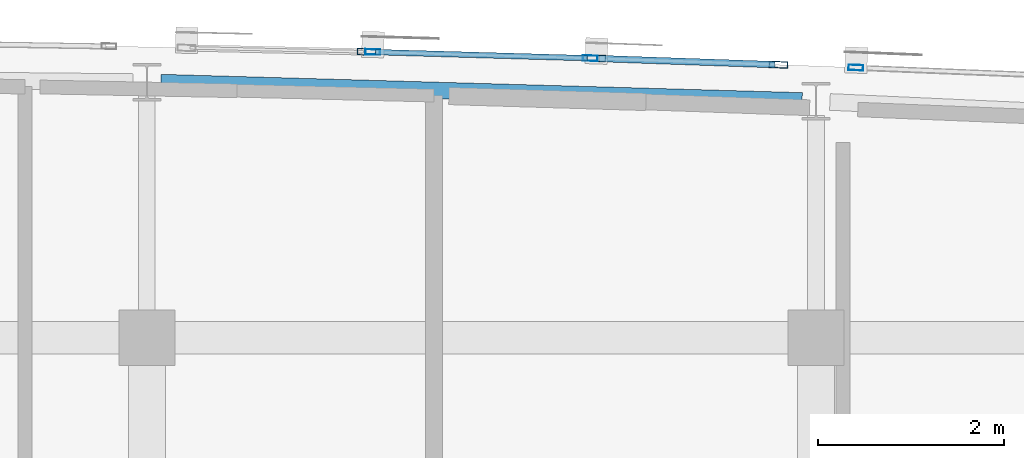
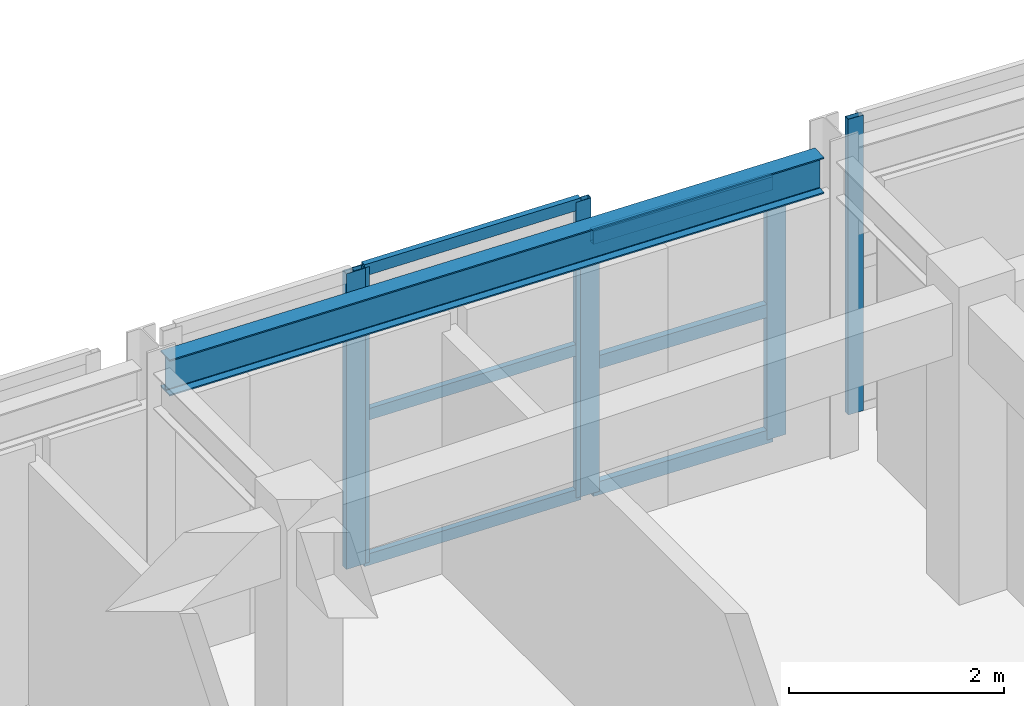
# One storey, part 19 of 48: 12 members, 1 beam, 4 elements without a shape of their own.
"""IFC4 building model written with IfcOpenShell, lengths in metres."""

from ifc_helpers import new_model, si_unit, direction, frame, origin, origin_2d, place, context, subcontext, project, spatial, hollow_rectangle, i_section, extrude, material, layer, layer_set, material_profile, profile_set, type_object, element, aggregate, save


model = new_model("IFC4")

# Units and contexts
model_context = context("Model", 3, precision=1e-05, world=origin(), true_north=direction((0.0, 1.0)))
body_context = subcontext(model_context, "Body", "Model", "MODEL_VIEW")
ifc_project = project(units=[si_unit("LENGTHUNIT", "METRE"), si_unit("AREAUNIT", "SQUARE_METRE"), si_unit("VOLUMEUNIT", "CUBIC_METRE"), si_unit("PLANEANGLEUNIT", "RADIAN"), si_unit("MASSUNIT", "GRAM", prefix="KILO")], contexts=[model_context])

# Site, building, storey
site_placement = place(None, origin())
site = spatial("IfcSite", under=ifc_project, at=site_placement, CompositionType="ELEMENT")
building_placement = place(site_placement, origin())
building = spatial("IfcBuilding", under=site, at=building_placement, Name="Carrowvane Square Congress Hotel", CompositionType="ELEMENT")
storey_placement = place(building_placement, frame((0.0, 0.0, 26.39990234375)))
storey = spatial("IfcBuildingStorey", under=building, at=storey_placement, Name="L06", CompositionType="ELEMENT", Elevation=26.39990234375)

# Beam
ifc_material_1 = material(Name="Steel S355", Category="steel")
ifc_material_profile_1 = material_profile(ifc_material_1, i_section(OverallWidth=0.1787109375, OverallDepth=0.409423828125, WebThickness=0.0087890625, FlangeThickness=0.014404296875, FilletRadius=0.01025390625, at=origin_2d()), Name="UKB 406x178x67")
ifc_profile_set_1 = profile_set([ifc_material_profile_1], Name="Steel S355")
beam_type = type_object("IfcBeamType", Name="BM-ST-UKB406", PredefinedType="BEAM", material=ifc_profile_set_1)
beam_placement = place(storey_placement, frame((105.349853515625, 116.1455078125, 3.1455078125), z_axis=(0.999591595899, -0.028576938382, 0.0), x_axis=(0.028576938382, 0.999591595899, 0.0)))
element("IfcBeam", 1, at=beam_placement, inside=storey, type_object=beam_type, Name="L07 curved north spandrel", PredefinedType="BEAM", context=body_context, shape_type="SweptSolid", body=[
    extrude(i_section(OverallWidth=0.1787109375, OverallDepth=0.409423828125, WebThickness=0.0087890625, FlangeThickness=0.014404296875, FilletRadius=0.01025390625, at=origin_2d()), origin(), (0.0, 0.0, 1.0), 6.903076171875),
])

# Curtain wall, members
ifc_material_2 = material(Name="Anodised aluminium", Category="aluminium")
ifc_layer_1 = layer(ifc_material_2, 0.18603515625)
ifc_layer_set_1 = layer_set([ifc_layer_1], Name="Anodised aluminium")
curtain_wall_type_1 = type_object("IfcCurtainWallType", Name="CW-SYS-3", PredefinedType="NOTDEFINED", material=ifc_layer_set_1)
curtain_wall_1_placement = place(storey_placement, origin())
curtain_wall_1 = element("IfcCurtainWall", 2, at=curtain_wall_1_placement, inside=storey, type_object=curtain_wall_type_1, Name="L06 unitised curtain wall 386", PredefinedType="NOTDEFINED")
ifc_material_3 = material(Name="Anodised aluminium", Category="aluminium")
ifc_material_profile_2 = material_profile(ifc_material_3, hollow_rectangle(XDim=0.06005859375, YDim=0.159912109375, WallThickness=0.00390625, at=origin_2d()), Name="CW-ML 60x160x4")
ifc_profile_set_2 = profile_set([ifc_material_profile_2], Name="Anodised aluminium")
member_type_1 = type_object("IfcMemberType", Name="CW-MUL-1", PredefinedType="MULLION", material=ifc_profile_set_2)
member_1_placement = place(storey_placement, frame((107.6298828125, 116.474853515625, 0.0), z_axis=(0.0, 0.0, 1.0), x_axis=(0.028638010501, 0.999589848065, 0.0)))
member_1 = element("IfcMember", 3, at=member_1_placement, type_object=member_type_1, Name="CW-3 mullion 1", PredefinedType="MULLION", context=body_context, shape_type="SweptSolid", body=[
    extrude(hollow_rectangle(XDim=0.06005859375, YDim=0.159912109375, WallThickness=0.00390625, at=origin_2d()), origin(), (0.0, 0.0, 1.0), 3.35009765625),
])
member_2_placement = place(storey_placement, frame((109.969970703125, 116.40771484375, 0.0), z_axis=(0.0, 0.0, 1.0), x_axis=(0.028638010501, 0.999589848065, 0.0)))
member_2 = element("IfcMember", 4, at=member_2_placement, type_object=member_type_1, Name="CW-3 mullion 2", PredefinedType="MULLION", context=body_context, shape_type="SweptSolid", body=[
    extrude(hollow_rectangle(XDim=0.06005859375, YDim=0.159912109375, WallThickness=0.00390625, at=origin_2d()), origin(), (0.0, 0.0, 1.0), 3.35009765625),
])

# Curtain wall, member
ifc_material_4 = material(Name="Anodised aluminium", Category="aluminium")
ifc_layer_2 = layer(ifc_material_4, 0.2099609375)
ifc_layer_set_2 = layer_set([ifc_layer_2], Name="Anodised aluminium")
curtain_wall_type_2 = type_object("IfcCurtainWallType", Name="CW-SYS-5", PredefinedType="NOTDEFINED", material=ifc_layer_set_2)
curtain_wall_2_placement = place(storey_placement, origin())
curtain_wall_2 = element("IfcCurtainWall", 5, at=curtain_wall_2_placement, inside=storey, type_object=curtain_wall_type_2, Name="L06 unitised curtain wall 388", PredefinedType="NOTDEFINED")
member_3_placement = place(storey_placement, frame((112.828857421875, 116.306884765625, 0.0), z_axis=(0.0, 0.0, 1.0), x_axis=(0.040130957403, 0.999194428656, 0.0)))
member_3 = element("IfcMember", 6, at=member_3_placement, type_object=member_type_1, Name="CW-5 mullion 1", PredefinedType="MULLION", context=body_context, shape_type="SweptSolid", body=[
    extrude(hollow_rectangle(XDim=0.06005859375, YDim=0.159912109375, WallThickness=0.00390625, at=origin_2d()), origin(), (0.0, 0.0, 1.0), 3.35009765625),
])
aggregate(curtain_wall_2, [member_3])

ifc_material_5 = material(Name="Anodised aluminium", Category="aluminium")
ifc_layer_3 = layer(ifc_material_5, 0.174072265625)
ifc_layer_set_3 = layer_set([ifc_layer_3], Name="Anodised aluminium")
curtain_wall_type_3 = type_object("IfcCurtainWallType", Name="CW-SYS-2", PredefinedType="NOTDEFINED", material=ifc_layer_set_3)
curtain_wall_3_placement = place(storey_placement, origin())
curtain_wall_3 = element("IfcCurtainWall", 7, at=curtain_wall_3_placement, inside=storey, type_object=curtain_wall_type_3, Name="L06 unitised curtain wall 385", PredefinedType="NOTDEFINED")
ifc_material_6 = material(Name="Anodised aluminium", Category="aluminium")
ifc_material_profile_3 = material_profile(ifc_material_6, hollow_rectangle(XDim=0.070068359375, YDim=0.199951171875, WallThickness=0.0048828125, at=origin_2d()), Name="CW-ML 70x200x5")
ifc_profile_set_3 = profile_set([ifc_material_profile_3], Name="Anodised aluminium")
member_type_2 = type_object("IfcMemberType", Name="CW-MUL-2", PredefinedType="MULLION", material=ifc_profile_set_3)
member_4_placement = place(storey_placement, frame((107.56494140625, 116.4765625, 0.0), z_axis=(0.0, 0.0, 1.0), x_axis=(0.022517686606, 0.99974644475, 0.0)))
member_4 = element("IfcMember", 8, at=member_4_placement, type_object=member_type_2, Name="CW-2 mullion 2", PredefinedType="MULLION", context=body_context, shape_type="SweptSolid", body=[
    extrude(hollow_rectangle(XDim=0.070068359375, YDim=0.199951171875, WallThickness=0.0048828125, at=origin_2d()), origin(), (0.0, 0.0, 1.0), 3.35009765625),
])
aggregate(curtain_wall_3, [member_4])

# Curtain wall, members
ifc_material_7 = material(Name="Anodised aluminium", Category="aluminium")
ifc_layer_4 = layer(ifc_material_7, 0.197998046875)
ifc_layer_set_4 = layer_set([ifc_layer_4], Name="Anodised aluminium")
curtain_wall_type_4 = type_object("IfcCurtainWallType", Name="CW-SYS-4", PredefinedType="NOTDEFINED", material=ifc_layer_set_4)
curtain_wall_4_placement = place(storey_placement, origin())
curtain_wall_4 = element("IfcCurtainWall", 9, at=curtain_wall_4_placement, inside=storey, type_object=curtain_wall_type_4, Name="L06 unitised curtain wall 387", PredefinedType="NOTDEFINED")
member_5_placement = place(storey_placement, frame((110.034912109375, 116.40576171875, 0.0), z_axis=(0.0, 0.0, 1.0), x_axis=(0.034529948347, 0.999403663525, 0.0)))
member_5 = element("IfcMember", 10, at=member_5_placement, type_object=member_type_2, Name="CW-4 mullion 1", PredefinedType="MULLION", context=body_context, shape_type="SweptSolid", body=[
    extrude(hollow_rectangle(XDim=0.070068359375, YDim=0.199951171875, WallThickness=0.0048828125, at=origin_2d()), origin(), (0.0, 0.0, 1.0), 2.92578125),
])
member_6_placement = place(storey_placement, frame((111.99462890625, 116.338134765625, 0.0), z_axis=(0.0, 0.0, 1.0), x_axis=(0.034529948347, 0.999403663525, 0.0)))
member_6 = element("IfcMember", 11, at=member_6_placement, type_object=member_type_2, Name="CW-4 mullion 2", PredefinedType="MULLION", context=body_context, shape_type="SweptSolid", body=[
    extrude(hollow_rectangle(XDim=0.070068359375, YDim=0.199951171875, WallThickness=0.0048828125, at=origin_2d()), origin(), (0.0, 0.0, 1.0), 2.92578125),
])

# Member
ifc_material_8 = material(Name="Anodised aluminium", Category="aluminium")
ifc_material_profile_4 = material_profile(ifc_material_8, hollow_rectangle(XDim=0.06005859375, YDim=0.1298828125, WallThickness=0.00390625, at=origin_2d()), Name="CW-TR 60x130x4")
ifc_profile_set_4 = profile_set([ifc_material_profile_4], Name="Anodised aluminium")
member_type_3 = type_object("IfcMemberType", Name="CW-TRN-1", PredefinedType="USERDEFINED", material=ifc_profile_set_4)
member_7_placement = place(storey_placement, frame((107.659912109375, 116.473876953125, 0.030029296875), z_axis=(0.999591562471, -0.028578107632, 0.0), x_axis=(0.028578107632, 0.999591562471, 0.0)))
member_7 = element("IfcMember", 12, at=member_7_placement, type_object=member_type_3, Name="CW-3 transom 1.1", ObjectType="TRANSOM", PredefinedType="USERDEFINED", context=body_context, shape_type="SweptSolid", body=[
    extrude(hollow_rectangle(XDim=0.06005859375, YDim=0.1298828125, WallThickness=0.00390625, at=origin_2d()), origin(), (0.0, 0.0, 1.0), 2.281005859375),
])

member_8_placement = place(storey_placement, frame((107.659912109375, 116.473876953125, 1.675048828125), z_axis=(0.999591562471, -0.028578107632, 0.0), x_axis=(0.028578107632, 0.999591562471, 0.0)))
member_8 = element("IfcMember", 13, at=member_8_placement, type_object=member_type_3, Name="CW-3 transom 1.2", ObjectType="TRANSOM", PredefinedType="USERDEFINED", context=body_context, shape_type="SweptSolid", body=[
    extrude(hollow_rectangle(XDim=0.06005859375, YDim=0.1298828125, WallThickness=0.00390625, at=origin_2d()), origin(), (0.0, 0.0, 1.0), 2.281005859375),
])

member_9_placement = place(storey_placement, frame((107.659912109375, 116.473876953125, 3.320068359375), z_axis=(0.999591562471, -0.028578107632, 0.0), x_axis=(0.028578107632, 0.999591562471, 0.0)))
member_9 = element("IfcMember", 14, at=member_9_placement, type_object=member_type_3, Name="CW-3 transom 1.3", ObjectType="TRANSOM", PredefinedType="USERDEFINED", context=body_context, shape_type="SweptSolid", body=[
    extrude(hollow_rectangle(XDim=0.06005859375, YDim=0.1298828125, WallThickness=0.00390625, at=origin_2d()), origin(), (0.0, 0.0, 1.0), 2.281005859375),
])

aggregate(curtain_wall_1, [member_1, member_2, member_7, member_8, member_9])

ifc_material_9 = material(Name="Anodised aluminium", Category="aluminium")
ifc_material_profile_5 = material_profile(ifc_material_9, hollow_rectangle(XDim=0.070068359375, YDim=0.14990234375, WallThickness=0.0048828125, at=origin_2d()), Name="CW-TR 70x150x5")
ifc_profile_set_5 = profile_set([ifc_material_profile_5], Name="Anodised aluminium")
member_type_4 = type_object("IfcMemberType", Name="CW-TRN-2", PredefinedType="USERDEFINED", material=ifc_profile_set_5)
member_10_placement = place(storey_placement, frame((110.070068359375, 116.404541015625, 0.03515625), z_axis=(0.999400927338, -0.034609051367, 0.0), x_axis=(0.034609051367, 0.999400927338, 0.0)))
member_10 = element("IfcMember", 15, at=member_10_placement, type_object=member_type_4, Name="CW-4 transom 1.1", ObjectType="TRANSOM", PredefinedType="USERDEFINED", context=body_context, shape_type="SweptSolid", body=[
    extrude(hollow_rectangle(XDim=0.070068359375, YDim=0.14990234375, WallThickness=0.0048828125, at=origin_2d()), origin(), (0.0, 0.0, 1.0), 1.890625),
])

member_11_placement = place(storey_placement, frame((110.070068359375, 116.404541015625, 1.462890625), z_axis=(0.999400927338, -0.034609051367, 0.0), x_axis=(0.034609051367, 0.999400927338, 0.0)))
member_11 = element("IfcMember", 16, at=member_11_placement, type_object=member_type_4, Name="CW-4 transom 1.2", ObjectType="TRANSOM", PredefinedType="USERDEFINED", context=body_context, shape_type="SweptSolid", body=[
    extrude(hollow_rectangle(XDim=0.070068359375, YDim=0.14990234375, WallThickness=0.0048828125, at=origin_2d()), origin(), (0.0, 0.0, 1.0), 1.890625),
])

member_12_placement = place(storey_placement, frame((110.070068359375, 116.404541015625, 2.890625), z_axis=(0.999400927338, -0.034609051367, 0.0), x_axis=(0.034609051367, 0.999400927338, 0.0)))
member_12 = element("IfcMember", 17, at=member_12_placement, type_object=member_type_4, Name="CW-4 transom 1.3", ObjectType="TRANSOM", PredefinedType="USERDEFINED", context=body_context, shape_type="SweptSolid", body=[
    extrude(hollow_rectangle(XDim=0.070068359375, YDim=0.14990234375, WallThickness=0.0048828125, at=origin_2d()), origin(), (0.0, 0.0, 1.0), 1.890625),
])

aggregate(curtain_wall_4, [member_5, member_6, member_10, member_11, member_12])

save(model, "model.ifc")
